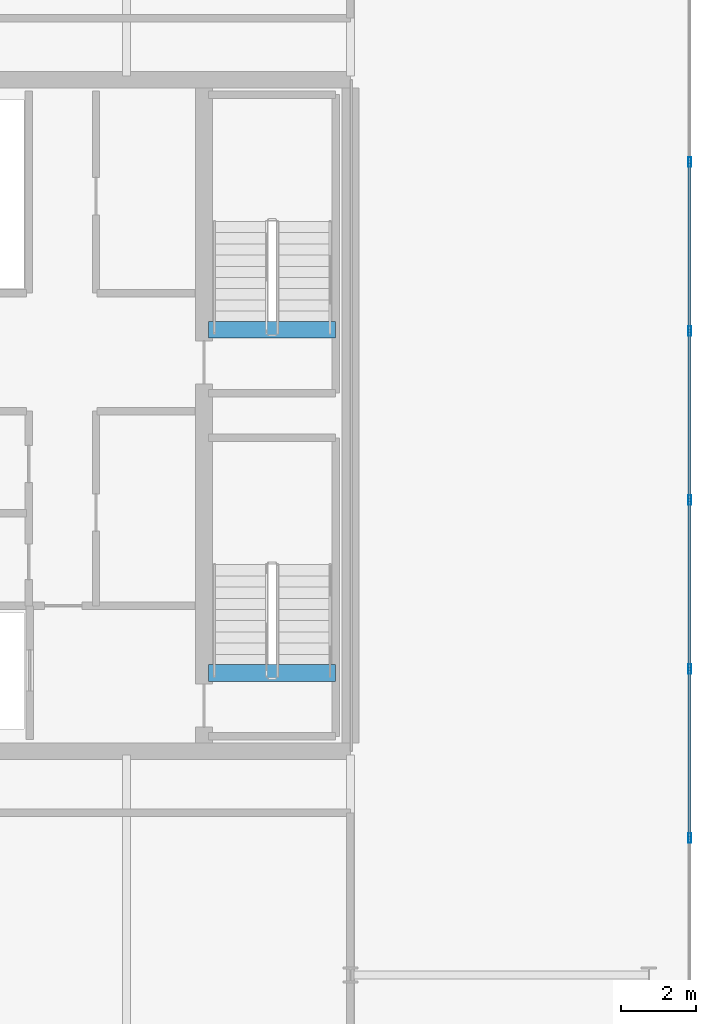
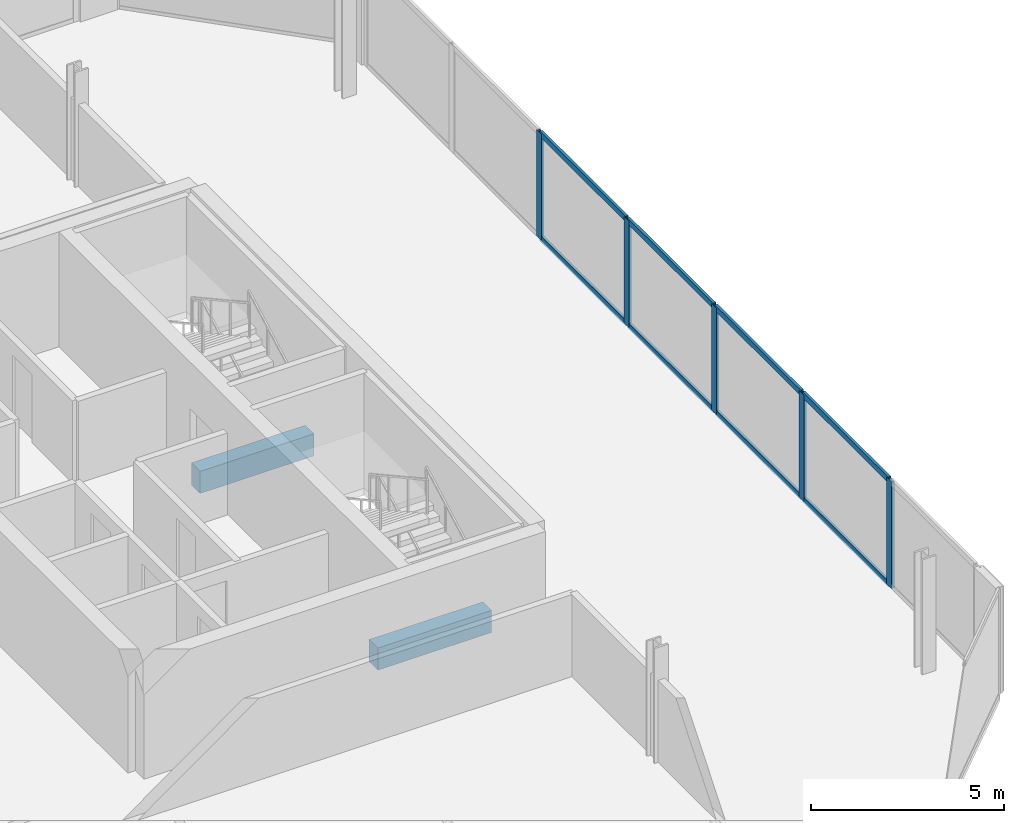
# One storey, part 8 of 16: 13 members, 2 beams, 1 element without a shape of its own.
"""IFC4 building model written with IfcOpenShell, lengths in metres."""

import ifcopenshell
import ifcopenshell.guid

model = None  # the IFC model being written
_history = None  # IfcOwnerHistory: only IFC2X3 demands one
_inside = {}  # id of a spatial element -> (the spatial element, [elements in it])
_under = {}  # id of a project, library or spatial element -> (it, [spatial elements below it])
_declared = {}  # id of a project -> (the project, [libraries it declares])
_typed = {}  # id of a type object -> (the type object, [elements of that type])
_made_of = {}  # id of a material, layer set ... -> (it, [elements and type objects made of it])


def new_model(schema):
    """Start an empty IFC model of exactly this schema.

    Asked for "IFC4X3", IfcOpenShell would pick the latest addendum, in which some entities
    have other attributes; the version numbers below select the first issue.
    IFC2X3 requires an IfcOwnerHistory on every rooted entity: one is made here for all.
    """
    global model, _history
    if schema == "IFC4X3":
        model = ifcopenshell.file(schema_version=(4, 3, 0, 0))
    else:
        model = ifcopenshell.file(schema=schema)
    _inside.clear()
    _under.clear()
    _declared.clear()
    _typed.clear()
    _made_of.clear()
    _history = None
    if model.schema == "IFC2X3":
        org = make("IfcOrganization", Name="unknown")
        user = make(
            "IfcPersonAndOrganization",
            ThePerson=make("IfcPerson", FamilyName="unknown"),
            TheOrganization=org,
        )
        app = make(
            "IfcApplication",
            ApplicationDeveloper=org,
            Version="unknown",
            ApplicationFullName="unknown",
            ApplicationIdentifier="unknown",
        )
        _history = make(
            "IfcOwnerHistory",
            OwningUser=user,
            OwningApplication=app,
            ChangeAction="ADDED",
            CreationDate=0,
        )
    return model


def make(cls, **values):
    """One entity of the class cls with the attributes given. An attribute that is None is left unset."""
    return model.create_entity(
        cls, **{name: value for name, value in values.items() if value is not None}
    )


def rooted(cls, **values):
    """An entity with a GlobalId (a new one), such as an element, a storey or a relation."""
    return make(cls, GlobalId=ifcopenshell.guid.new(), OwnerHistory=_history, **values)


def si_unit(unit_type, name, prefix=None):
    """IfcSIUnit, for example si_unit("LENGTHUNIT", "METRE", prefix="MILLI")."""
    return make("IfcSIUnit", UnitType=unit_type, Prefix=prefix, Name=name)


def assignment(units):
    """IfcUnitAssignment: the units of a project."""
    return None if units is None else make("IfcUnitAssignment", Units=units)


def point(xyz):
    """IfcCartesianPoint."""
    return None if xyz is None else make("IfcCartesianPoint", Coordinates=xyz)


def direction(xyz):
    """IfcDirection."""
    return None if xyz is None else make("IfcDirection", DirectionRatios=xyz)


def frame(location, z_axis=None, x_axis=None):
    """IfcAxis2Placement3D, a coordinate frame: its origin and axes. An axis left out is left unset."""
    return make(
        "IfcAxis2Placement3D",
        Location=point(location),
        Axis=direction(z_axis),
        RefDirection=direction(x_axis),
    )


def frame_2d(location, x_axis=None):
    """IfcAxis2Placement2D, a coordinate frame in the plane: its origin and x axis."""
    return make(
        "IfcAxis2Placement2D", Location=point(location), RefDirection=direction(x_axis)
    )


def origin():
    """The frame at (0, 0, 0) with its axes left unset."""
    return frame((0.0, 0.0, 0.0))


def origin_2d():
    """The frame at (0, 0) in the plane with its x axis left unset."""
    return frame_2d((0.0, 0.0))


def place(relative_to, where):
    """IfcLocalPlacement: puts the frame where relative to a parent placement (None: the world)."""
    return make(
        "IfcLocalPlacement", PlacementRelTo=relative_to, RelativePlacement=where
    )


def context(
    kind, dimensions, precision=None, world=None, true_north=None, identifier=None
):
    """IfcGeometricRepresentationContext, for example the 3D "Model" context."""
    return make(
        "IfcGeometricRepresentationContext",
        ContextIdentifier=identifier,
        ContextType=kind,
        CoordinateSpaceDimension=dimensions,
        Precision=precision,
        WorldCoordinateSystem=world,
        TrueNorth=true_north,
    )


def subcontext(parent, identifier, kind, view, scale=None):
    """IfcGeometricRepresentationSubContext, for example "Body" below "Model"."""
    return make(
        "IfcGeometricRepresentationSubContext",
        ContextIdentifier=identifier,
        ContextType=kind,
        ParentContext=parent,
        TargetScale=scale,
        TargetView=view,
    )


def project(units=None, contexts=None):
    """IfcProject with its units and contexts."""
    return rooted(
        "IfcProject",
        Name="project",
        RepresentationContexts=contexts,
        UnitsInContext=assignment(units),
    )


def spatial(cls, under=None, at=None, **own):
    """A site, building, storey or space (cls), placed at a placement, below another one or the project."""
    s = rooted(cls, ObjectPlacement=at, **own)
    if under is not None:
        _under.setdefault(under.id(), (under, []))[1].append(s)
    return s


def profile(cls, at=None, kind="AREA", **sizes):
    """A parametric profile (cls). Its sizes go by their IFC names, for example OverallWidth=200.0."""
    return make(cls, ProfileType=kind, Position=at, **sizes)


def rectangle(**sizes):
    """IfcRectangleProfileDef."""
    return profile("IfcRectangleProfileDef", **sizes)


def hollow_rectangle(**sizes):
    """IfcRectangleHollowProfileDef."""
    return profile("IfcRectangleHollowProfileDef", **sizes)


def extrude(swept, where, along, depth):
    """IfcExtrudedAreaSolid: the profile swept, set in the frame where, extruded along a direction by depth."""
    return make(
        "IfcExtrudedAreaSolid",
        SweptArea=swept,
        Position=where,
        ExtrudedDirection=direction(along),
        Depth=depth,
    )


def shape(context_of_items, identifier, shape_type, items):
    """IfcShapeRepresentation: the items that make up one representation, for example the "Body"."""
    return make(
        "IfcShapeRepresentation",
        ContextOfItems=context_of_items,
        RepresentationIdentifier=identifier,
        RepresentationType=shape_type,
        Items=items,
    )


def material(Name=None, Category=None):
    """IfcMaterial."""
    return make("IfcMaterial", Name=Name, Category=Category)


def layer(
    of_material, thickness, ventilated=None, Name=None, Category=None, Priority=None
):
    """IfcMaterialLayer: one layer of a wall or slab, of a material (None: an air gap)."""
    return make(
        "IfcMaterialLayer",
        Material=of_material,
        LayerThickness=thickness,
        IsVentilated=ventilated,
        Name=Name,
        Category=Category,
        Priority=Priority,
    )


def layer_set(layers, Name=None):
    """IfcMaterialLayerSet."""
    return make("IfcMaterialLayerSet", MaterialLayers=layers, LayerSetName=Name)


def material_profile(
    of_material, cross_section, Name=None, Category=None, Priority=None
):
    """IfcMaterialProfile: a cross section and its material."""
    return make(
        "IfcMaterialProfile",
        Name=Name,
        Material=of_material,
        Profile=cross_section,
        Priority=Priority,
        Category=Category,
    )


def profile_set(profiles, Name=None, composite=None):
    """IfcMaterialProfileSet."""
    return make(
        "IfcMaterialProfileSet",
        Name=Name,
        MaterialProfiles=profiles,
        CompositeProfile=composite,
    )


def made_of(thing, what):
    """Note that an element or type object is made of a material, layer set ...; save() writes the relation."""
    if what is not None:
        _made_of.setdefault(what.id(), (what, []))[1].append(thing)
    return thing


def type_object(cls, material=None, **own):
    """A type object (cls), such as IfcWallType, which elements share."""
    return made_of(rooted(cls, **own), material)


def element(
    cls,
    number,
    at=None,
    inside=None,
    cuts=None,
    type_object=None,
    material=None,
    context=None,
    identifier="Body",
    shape_type=None,
    held_by="IfcProductDefinitionShape",
    body=None,
    shapes=None,
    **own,
):
    """One element of the class cls, such as IfcWall. Its Tag is "e" and its number.

    at: its placement. inside: the storey or other place that contains it. cuts: it is an
    opening in that element (IfcRelVoidsElement). A single representation is given by context,
    identifier, shape_type and body (its items); several are given by shapes. held_by: the class
    of the entity that holds the representations. save() writes the other relations.
    """
    e = rooted(cls, Tag="e%d" % number, ObjectPlacement=at, **own)
    if body is not None:
        shapes = [shape(context, identifier, shape_type, body)]
    if shapes is not None:
        e.Representation = make(held_by, Representations=shapes)
    if inside is not None:
        _inside.setdefault(inside.id(), (inside, []))[1].append(e)
    if cuts is not None:
        rooted(
            "IfcRelVoidsElement", RelatingBuildingElement=cuts, RelatedOpeningElement=e
        )
    if type_object is not None:
        _typed.setdefault(type_object.id(), (type_object, []))[1].append(e)
    return made_of(e, material)


def aggregate(whole, parts):
    """IfcRelAggregates: a whole, such as a stair, and the parts it consists of."""
    return rooted("IfcRelAggregates", RelatingObject=whole, RelatedObjects=parts)


def save(model, path):
    """Write the relations noted so far, then the file.

    IfcRelAggregates (storeys below a building ...), IfcRelContainedInSpatialStructure (elements
    in a storey), IfcRelDefinesByType, IfcRelAssociatesMaterial and IfcRelDeclares: one each for
    every whole, place, type object, material and project.
    """
    for whole, parts in _under.values():
        aggregate(whole, parts)
    for where, things in _inside.values():
        rooted(
            "IfcRelContainedInSpatialStructure",
            RelatedElements=things,
            RelatingStructure=where,
        )
    for kind, things in _typed.values():
        rooted("IfcRelDefinesByType", RelatedObjects=things, RelatingType=kind)
    for what, things in _made_of.values():
        rooted("IfcRelAssociatesMaterial", RelatedObjects=things, RelatingMaterial=what)
    for by, libraries in _declared.values():
        rooted("IfcRelDeclares", RelatingContext=by, RelatedDefinitions=libraries)
    model.write(path)


model = new_model("IFC4")

# Units and contexts
model_context = context("Model", 3, precision=1e-05, world=origin(), true_north=direction((0.0, 1.0)))
body_context = subcontext(model_context, "Body", "Model", "MODEL_VIEW")
ifc_project = project(units=[si_unit("LENGTHUNIT", "METRE"), si_unit("AREAUNIT", "SQUARE_METRE"), si_unit("VOLUMEUNIT", "CUBIC_METRE"), si_unit("PLANEANGLEUNIT", "RADIAN"), si_unit("MASSUNIT", "GRAM", prefix="KILO")], contexts=[model_context])

# Site, building, storey
site_placement = place(None, origin())
site = spatial("IfcSite", under=ifc_project, at=site_placement, CompositionType="ELEMENT")
building_placement = place(site_placement, origin())
building = spatial("IfcBuilding", under=site, at=building_placement, Name="Tanjung Sevakor Pilgrim Tower", CompositionType="ELEMENT")
storey_placement = place(building_placement, frame((0.0, 0.0, 275.219970703125)))
storey = spatial("IfcBuildingStorey", under=building, at=storey_placement, Name="L77", CompositionType="ELEMENT", Elevation=275.219970703125)

# Beams
ifc_material_1 = material(Name="Concrete C60/75", Category="concrete")
ifc_material_profile_1 = material_profile(ifc_material_1, rectangle(XDim=0.449951171875, YDim=0.699951171875, at=origin_2d()))
ifc_profile_set_1 = profile_set([ifc_material_profile_1], Name="Concrete C60/75")
beam_type = type_object("IfcBeamType", Name="BM-B-LN3-RC-BM_450x700", PredefinedType="LINTEL", material=ifc_profile_set_1)
for number, where, z_axis, x_axis, name in (
    (1, (86.199951171875, 26.699951171875, -0.349853515625), (1.0, 0.0, 0.0), (0.0, 1.0, 0.0), "L77 TS-E1 Stair Threshold Beam"),
    (2, (86.199951171875, 35.89990234375, -0.349853515625), (1.0, 0.0, 0.0), (0.0, 1.0, 0.0), "L77 TS-E2 Stair Threshold Beam"),
):
    element("IfcBeam", number, at=place(storey_placement, frame(where, z_axis=z_axis, x_axis=x_axis)), inside=storey, type_object=beam_type, Name=name, PredefinedType="LINTEL", context=body_context, shape_type="SweptSolid", body=[
        extrude(rectangle(XDim=0.449951171875, YDim=0.699951171875, at=origin_2d()), origin(), (0.0, 0.0, 1.0), 3.400146484375),
    ])

# Curtain wall, members
ifc_material_2 = material(Name="Aluminium 6063-T6 and Low-E Glass", Category="aluminium")
ifc_layer = layer(ifc_material_2, 0.219970703125)
ifc_layer_set = layer_set([ifc_layer], Name="CW-SYS-CRNE")
curtain_wall_type = type_object("IfcCurtainWallType", Name="CW-SYS-CRNE", PredefinedType="NOTDEFINED", material=ifc_layer_set)
curtain_wall_placement = place(storey_placement, origin())
curtain_wall = element("IfcCurtainWall", 3, at=curtain_wall_placement, inside=storey, type_object=curtain_wall_type, Name="L77 Curtain Wall CW-CRN-L77-EAST-2-1", PredefinedType="NOTDEFINED")
ifc_material_3 = material(Name="Aluminium 6063-T6", Category="aluminium")
ifc_material_profile_2 = material_profile(ifc_material_3, hollow_rectangle(XDim=0.080078125, YDim=0.260009765625, WallThickness=0.0048828125, at=origin_2d()))
ifc_profile_set_2 = profile_set([ifc_material_profile_2], Name="Aluminium 6063-T6")
member_type_1 = type_object("IfcMemberType", Name="TYPE-CWM-3", PredefinedType="MULLION", material=ifc_profile_set_2)
member_1_placement = place(storey_placement, frame((99.090087890625, 22.275390625, 0.0), z_axis=(0.0, 0.0, 1.0), x_axis=(-1.0, 0.0, 0.0)))
member_1 = element("IfcMember", 4, at=member_1_placement, type_object=member_type_1, Name="CW-CRE mullion 2", PredefinedType="MULLION", context=body_context, shape_type="SweptSolid", body=[
    extrude(hollow_rectangle(XDim=0.080078125, YDim=0.260009765625, WallThickness=0.0048828125, at=origin_2d()), origin(), (0.0, 0.0, 1.0), 3.3701171875),
])
member_2_placement = place(storey_placement, frame((99.090087890625, 26.80517578125, 0.0), z_axis=(0.0, 0.0, 1.0), x_axis=(-1.0, 0.0, 0.0)))
member_2 = element("IfcMember", 5, at=member_2_placement, type_object=member_type_1, Name="CW-CRE mullion 3", PredefinedType="MULLION", context=body_context, shape_type="SweptSolid", body=[
    extrude(hollow_rectangle(XDim=0.080078125, YDim=0.260009765625, WallThickness=0.0048828125, at=origin_2d()), origin(), (0.0, 0.0, 1.0), 3.3701171875),
])
member_3_placement = place(storey_placement, frame((99.090087890625, 31.335205078125, 0.0), z_axis=(0.0, 0.0, 1.0), x_axis=(-1.0, 0.0, 0.0)))
member_3 = element("IfcMember", 6, at=member_3_placement, type_object=member_type_1, Name="CW-CRE mullion 4", PredefinedType="MULLION", context=body_context, shape_type="SweptSolid", body=[
    extrude(hollow_rectangle(XDim=0.080078125, YDim=0.260009765625, WallThickness=0.0048828125, at=origin_2d()), origin(), (0.0, 0.0, 1.0), 3.3701171875),
])
member_4_placement = place(storey_placement, frame((99.090087890625, 35.864990234375, 0.0), z_axis=(0.0, 0.0, 1.0), x_axis=(-1.0, 0.0, 0.0)))
member_4 = element("IfcMember", 7, at=member_4_placement, type_object=member_type_1, Name="CW-CRE mullion 5", PredefinedType="MULLION", context=body_context, shape_type="SweptSolid", body=[
    extrude(hollow_rectangle(XDim=0.080078125, YDim=0.260009765625, WallThickness=0.0048828125, at=origin_2d()), origin(), (0.0, 0.0, 1.0), 3.3701171875),
])
member_5_placement = place(storey_placement, frame((99.090087890625, 40.394775390625, 0.0), z_axis=(0.0, 0.0, 1.0), x_axis=(-1.0, 0.0, 0.0)))
member_5 = element("IfcMember", 8, at=member_5_placement, type_object=member_type_1, Name="CW-CRE mullion 6", PredefinedType="MULLION", context=body_context, shape_type="SweptSolid", body=[
    extrude(hollow_rectangle(XDim=0.080078125, YDim=0.260009765625, WallThickness=0.0048828125, at=origin_2d()), origin(), (0.0, 0.0, 1.0), 3.3701171875),
])
ifc_material_4 = material(Name="Aluminium 6063-T6", Category="aluminium")
ifc_material_profile_3 = material_profile(ifc_material_4, hollow_rectangle(XDim=0.080078125, YDim=0.179931640625, WallThickness=0.0048828125, at=origin_2d()))
ifc_profile_set_3 = profile_set([ifc_material_profile_3], Name="Aluminium 6063-T6")
member_type_2 = type_object("IfcMemberType", Name="TYPE-CWT-3", PredefinedType="USERDEFINED", material=ifc_profile_set_3)
member_6_placement = place(storey_placement, frame((99.090087890625, 22.3154296875, 0.0400390625), z_axis=(0.0, 1.0, 0.0), x_axis=(-1.0, 0.0, 0.0)))
member_6 = element("IfcMember", 9, at=member_6_placement, type_object=member_type_2, Name="CW-CRE transom 2.1", ObjectType="TRANSOM", PredefinedType="USERDEFINED", context=body_context, shape_type="SweptSolid", body=[
    extrude(hollow_rectangle(XDim=0.080078125, YDim=0.179931640625, WallThickness=0.0048828125, at=origin_2d()), origin(), (0.0, 0.0, 1.0), 4.44970703125),
])
member_7_placement = place(storey_placement, frame((99.090087890625, 22.3154296875, 3.330078125), z_axis=(0.0, 1.0, 0.0), x_axis=(-1.0, 0.0, 0.0)))
member_7 = element("IfcMember", 10, at=member_7_placement, type_object=member_type_2, Name="CW-CRE transom 2.2", ObjectType="TRANSOM", PredefinedType="USERDEFINED", context=body_context, shape_type="SweptSolid", body=[
    extrude(hollow_rectangle(XDim=0.080078125, YDim=0.179931640625, WallThickness=0.0048828125, at=origin_2d()), origin(), (0.0, 0.0, 1.0), 4.44970703125),
])
member_8_placement = place(storey_placement, frame((99.090087890625, 26.84521484375, 0.0400390625), z_axis=(0.0, 1.0, 0.0), x_axis=(-1.0, 0.0, 0.0)))
member_8 = element("IfcMember", 11, at=member_8_placement, type_object=member_type_2, Name="CW-CRE transom 3.1", ObjectType="TRANSOM", PredefinedType="USERDEFINED", context=body_context, shape_type="SweptSolid", body=[
    extrude(hollow_rectangle(XDim=0.080078125, YDim=0.179931640625, WallThickness=0.0048828125, at=origin_2d()), origin(), (0.0, 0.0, 1.0), 4.449951171875),
])
member_9_placement = place(storey_placement, frame((99.090087890625, 26.84521484375, 3.330078125), z_axis=(0.0, 1.0, 0.0), x_axis=(-1.0, 0.0, 0.0)))
member_9 = element("IfcMember", 12, at=member_9_placement, type_object=member_type_2, Name="CW-CRE transom 3.2", ObjectType="TRANSOM", PredefinedType="USERDEFINED", context=body_context, shape_type="SweptSolid", body=[
    extrude(hollow_rectangle(XDim=0.080078125, YDim=0.179931640625, WallThickness=0.0048828125, at=origin_2d()), origin(), (0.0, 0.0, 1.0), 4.449951171875),
])
member_10_placement = place(storey_placement, frame((99.090087890625, 31.375, 0.0400390625), z_axis=(0.0, 1.0, 0.0), x_axis=(-1.0, 0.0, 0.0)))
member_10 = element("IfcMember", 13, at=member_10_placement, type_object=member_type_2, Name="CW-CRE transom 4.1", ObjectType="TRANSOM", PredefinedType="USERDEFINED", context=body_context, shape_type="SweptSolid", body=[
    extrude(hollow_rectangle(XDim=0.080078125, YDim=0.179931640625, WallThickness=0.0048828125, at=origin_2d()), origin(), (0.0, 0.0, 1.0), 4.449951171875),
])
member_11_placement = place(storey_placement, frame((99.090087890625, 31.375, 3.330078125), z_axis=(0.0, 1.0, 0.0), x_axis=(-1.0, 0.0, 0.0)))
member_11 = element("IfcMember", 14, at=member_11_placement, type_object=member_type_2, Name="CW-CRE transom 4.2", ObjectType="TRANSOM", PredefinedType="USERDEFINED", context=body_context, shape_type="SweptSolid", body=[
    extrude(hollow_rectangle(XDim=0.080078125, YDim=0.179931640625, WallThickness=0.0048828125, at=origin_2d()), origin(), (0.0, 0.0, 1.0), 4.449951171875),
])
member_12_placement = place(storey_placement, frame((99.090087890625, 35.905029296875, 0.0400390625), z_axis=(0.0, 1.0, 0.0), x_axis=(-1.0, 0.0, 0.0)))
member_12 = element("IfcMember", 15, at=member_12_placement, type_object=member_type_2, Name="CW-CRE transom 5.1", ObjectType="TRANSOM", PredefinedType="USERDEFINED", context=body_context, shape_type="SweptSolid", body=[
    extrude(hollow_rectangle(XDim=0.080078125, YDim=0.179931640625, WallThickness=0.0048828125, at=origin_2d()), origin(), (0.0, 0.0, 1.0), 4.44970703125),
])
member_13_placement = place(storey_placement, frame((99.090087890625, 35.905029296875, 3.330078125), z_axis=(0.0, 1.0, 0.0), x_axis=(-1.0, 0.0, 0.0)))
member_13 = element("IfcMember", 16, at=member_13_placement, type_object=member_type_2, Name="CW-CRE transom 5.2", ObjectType="TRANSOM", PredefinedType="USERDEFINED", context=body_context, shape_type="SweptSolid", body=[
    extrude(hollow_rectangle(XDim=0.080078125, YDim=0.179931640625, WallThickness=0.0048828125, at=origin_2d()), origin(), (0.0, 0.0, 1.0), 4.44970703125),
])
aggregate(curtain_wall, [member_1, member_2, member_3, member_4, member_5, member_6, member_7, member_8, member_9, member_10, member_11, member_12, member_13])

save(model, "model.ifc")
